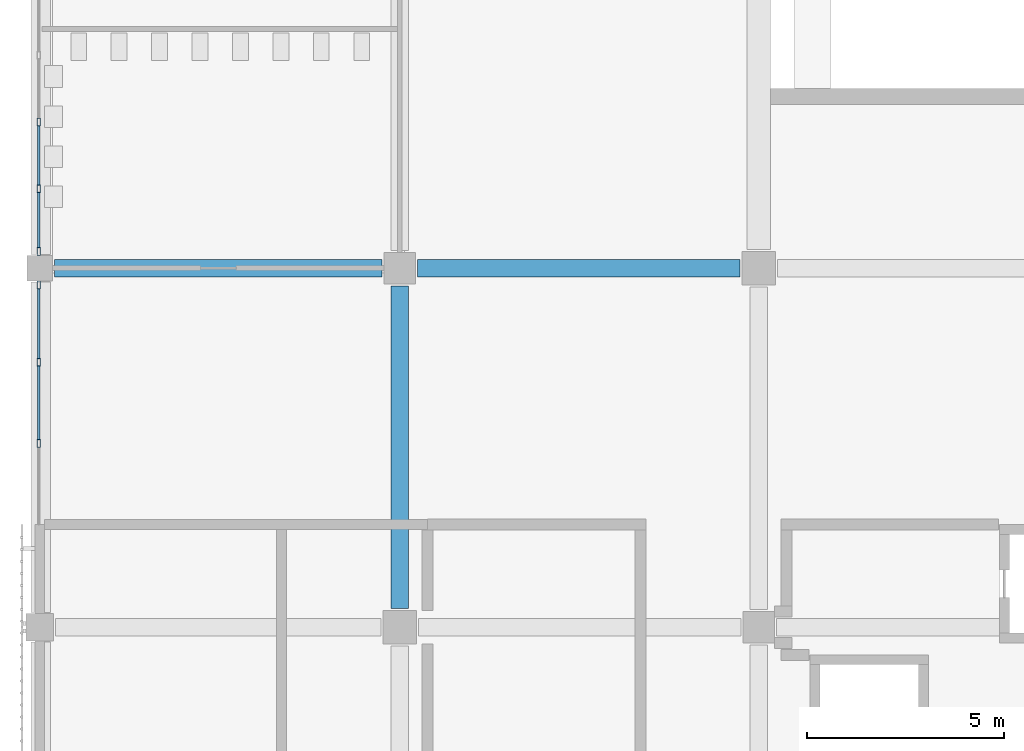
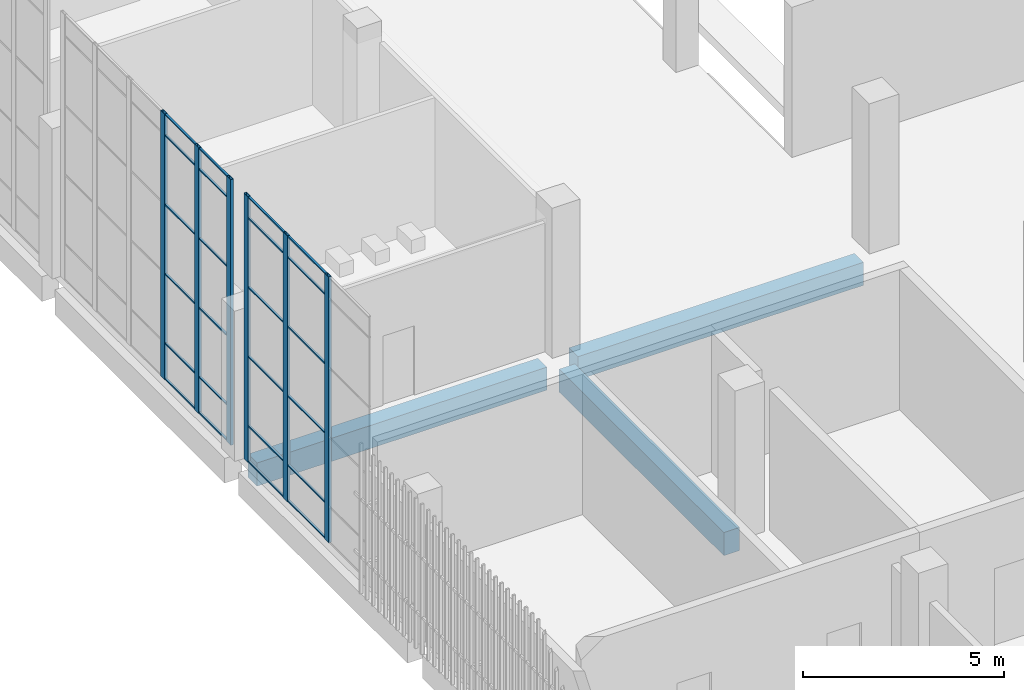
# One storey, part 10 of 126: 30 members, 3 beams, 2 elements without a shape of their own.
"""IFC4 building model written with IfcOpenShell, lengths in metres."""

import ifcopenshell
import ifcopenshell.guid

model = None  # the IFC model being written
_history = None  # IfcOwnerHistory: only IFC2X3 demands one
_inside = {}  # id of a spatial element -> (the spatial element, [elements in it])
_under = {}  # id of a project, library or spatial element -> (it, [spatial elements below it])
_declared = {}  # id of a project -> (the project, [libraries it declares])
_typed = {}  # id of a type object -> (the type object, [elements of that type])
_made_of = {}  # id of a material, layer set ... -> (it, [elements and type objects made of it])


def new_model(schema):
    """Start an empty IFC model of exactly this schema.

    Asked for "IFC4X3", IfcOpenShell would pick the latest addendum, in which some entities
    have other attributes; the version numbers below select the first issue.
    IFC2X3 requires an IfcOwnerHistory on every rooted entity: one is made here for all.
    """
    global model, _history
    if schema == "IFC4X3":
        model = ifcopenshell.file(schema_version=(4, 3, 0, 0))
    else:
        model = ifcopenshell.file(schema=schema)
    _inside.clear()
    _under.clear()
    _declared.clear()
    _typed.clear()
    _made_of.clear()
    _history = None
    if model.schema == "IFC2X3":
        org = make("IfcOrganization", Name="unknown")
        user = make(
            "IfcPersonAndOrganization",
            ThePerson=make("IfcPerson", FamilyName="unknown"),
            TheOrganization=org,
        )
        app = make(
            "IfcApplication",
            ApplicationDeveloper=org,
            Version="unknown",
            ApplicationFullName="unknown",
            ApplicationIdentifier="unknown",
        )
        _history = make(
            "IfcOwnerHistory",
            OwningUser=user,
            OwningApplication=app,
            ChangeAction="ADDED",
            CreationDate=0,
        )
    return model


def make(cls, **values):
    """One entity of the class cls with the attributes given. An attribute that is None is left unset."""
    return model.create_entity(
        cls, **{name: value for name, value in values.items() if value is not None}
    )


def rooted(cls, **values):
    """An entity with a GlobalId (a new one), such as an element, a storey or a relation."""
    return make(cls, GlobalId=ifcopenshell.guid.new(), OwnerHistory=_history, **values)


def si_unit(unit_type, name, prefix=None):
    """IfcSIUnit, for example si_unit("LENGTHUNIT", "METRE", prefix="MILLI")."""
    return make("IfcSIUnit", UnitType=unit_type, Prefix=prefix, Name=name)


def assignment(units):
    """IfcUnitAssignment: the units of a project."""
    return None if units is None else make("IfcUnitAssignment", Units=units)


def point(xyz):
    """IfcCartesianPoint."""
    return None if xyz is None else make("IfcCartesianPoint", Coordinates=xyz)


def direction(xyz):
    """IfcDirection."""
    return None if xyz is None else make("IfcDirection", DirectionRatios=xyz)


def frame(location, z_axis=None, x_axis=None):
    """IfcAxis2Placement3D, a coordinate frame: its origin and axes. An axis left out is left unset."""
    return make(
        "IfcAxis2Placement3D",
        Location=point(location),
        Axis=direction(z_axis),
        RefDirection=direction(x_axis),
    )


def frame_2d(location, x_axis=None):
    """IfcAxis2Placement2D, a coordinate frame in the plane: its origin and x axis."""
    return make(
        "IfcAxis2Placement2D", Location=point(location), RefDirection=direction(x_axis)
    )


def origin():
    """The frame at (0, 0, 0) with its axes left unset."""
    return frame((0.0, 0.0, 0.0))


def origin_2d():
    """The frame at (0, 0) in the plane with its x axis left unset."""
    return frame_2d((0.0, 0.0))


def place(relative_to, where):
    """IfcLocalPlacement: puts the frame where relative to a parent placement (None: the world)."""
    return make(
        "IfcLocalPlacement", PlacementRelTo=relative_to, RelativePlacement=where
    )


def context(
    kind, dimensions, precision=None, world=None, true_north=None, identifier=None
):
    """IfcGeometricRepresentationContext, for example the 3D "Model" context."""
    return make(
        "IfcGeometricRepresentationContext",
        ContextIdentifier=identifier,
        ContextType=kind,
        CoordinateSpaceDimension=dimensions,
        Precision=precision,
        WorldCoordinateSystem=world,
        TrueNorth=true_north,
    )


def subcontext(parent, identifier, kind, view, scale=None):
    """IfcGeometricRepresentationSubContext, for example "Body" below "Model"."""
    return make(
        "IfcGeometricRepresentationSubContext",
        ContextIdentifier=identifier,
        ContextType=kind,
        ParentContext=parent,
        TargetScale=scale,
        TargetView=view,
    )


def project(units=None, contexts=None):
    """IfcProject with its units and contexts."""
    return rooted(
        "IfcProject",
        Name="project",
        RepresentationContexts=contexts,
        UnitsInContext=assignment(units),
    )


def spatial(cls, under=None, at=None, **own):
    """A site, building, storey or space (cls), placed at a placement, below another one or the project."""
    s = rooted(cls, ObjectPlacement=at, **own)
    if under is not None:
        _under.setdefault(under.id(), (under, []))[1].append(s)
    return s


def profile(cls, at=None, kind="AREA", **sizes):
    """A parametric profile (cls). Its sizes go by their IFC names, for example OverallWidth=200.0."""
    return make(cls, ProfileType=kind, Position=at, **sizes)


def rectangle(**sizes):
    """IfcRectangleProfileDef."""
    return profile("IfcRectangleProfileDef", **sizes)


def hollow_rectangle(**sizes):
    """IfcRectangleHollowProfileDef."""
    return profile("IfcRectangleHollowProfileDef", **sizes)


def extrude(swept, where, along, depth):
    """IfcExtrudedAreaSolid: the profile swept, set in the frame where, extruded along a direction by depth."""
    return make(
        "IfcExtrudedAreaSolid",
        SweptArea=swept,
        Position=where,
        ExtrudedDirection=direction(along),
        Depth=depth,
    )


def shape(context_of_items, identifier, shape_type, items):
    """IfcShapeRepresentation: the items that make up one representation, for example the "Body"."""
    return make(
        "IfcShapeRepresentation",
        ContextOfItems=context_of_items,
        RepresentationIdentifier=identifier,
        RepresentationType=shape_type,
        Items=items,
    )


def material(Name=None, Category=None):
    """IfcMaterial."""
    return make("IfcMaterial", Name=Name, Category=Category)


def layer(
    of_material, thickness, ventilated=None, Name=None, Category=None, Priority=None
):
    """IfcMaterialLayer: one layer of a wall or slab, of a material (None: an air gap)."""
    return make(
        "IfcMaterialLayer",
        Material=of_material,
        LayerThickness=thickness,
        IsVentilated=ventilated,
        Name=Name,
        Category=Category,
        Priority=Priority,
    )


def layer_set(layers, Name=None):
    """IfcMaterialLayerSet."""
    return make("IfcMaterialLayerSet", MaterialLayers=layers, LayerSetName=Name)


def material_profile(
    of_material, cross_section, Name=None, Category=None, Priority=None
):
    """IfcMaterialProfile: a cross section and its material."""
    return make(
        "IfcMaterialProfile",
        Name=Name,
        Material=of_material,
        Profile=cross_section,
        Priority=Priority,
        Category=Category,
    )


def profile_set(profiles, Name=None, composite=None):
    """IfcMaterialProfileSet."""
    return make(
        "IfcMaterialProfileSet",
        Name=Name,
        MaterialProfiles=profiles,
        CompositeProfile=composite,
    )


def made_of(thing, what):
    """Note that an element or type object is made of a material, layer set ...; save() writes the relation."""
    if what is not None:
        _made_of.setdefault(what.id(), (what, []))[1].append(thing)
    return thing


def type_object(cls, material=None, **own):
    """A type object (cls), such as IfcWallType, which elements share."""
    return made_of(rooted(cls, **own), material)


def element(
    cls,
    number,
    at=None,
    inside=None,
    cuts=None,
    type_object=None,
    material=None,
    context=None,
    identifier="Body",
    shape_type=None,
    held_by="IfcProductDefinitionShape",
    body=None,
    shapes=None,
    **own,
):
    """One element of the class cls, such as IfcWall. Its Tag is "e" and its number.

    at: its placement. inside: the storey or other place that contains it. cuts: it is an
    opening in that element (IfcRelVoidsElement). A single representation is given by context,
    identifier, shape_type and body (its items); several are given by shapes. held_by: the class
    of the entity that holds the representations. save() writes the other relations.
    """
    e = rooted(cls, Tag="e%d" % number, ObjectPlacement=at, **own)
    if body is not None:
        shapes = [shape(context, identifier, shape_type, body)]
    if shapes is not None:
        e.Representation = make(held_by, Representations=shapes)
    if inside is not None:
        _inside.setdefault(inside.id(), (inside, []))[1].append(e)
    if cuts is not None:
        rooted(
            "IfcRelVoidsElement", RelatingBuildingElement=cuts, RelatedOpeningElement=e
        )
    if type_object is not None:
        _typed.setdefault(type_object.id(), (type_object, []))[1].append(e)
    return made_of(e, material)


def aggregate(whole, parts):
    """IfcRelAggregates: a whole, such as a stair, and the parts it consists of."""
    return rooted("IfcRelAggregates", RelatingObject=whole, RelatedObjects=parts)


def save(model, path):
    """Write the relations noted so far, then the file.

    IfcRelAggregates (storeys below a building ...), IfcRelContainedInSpatialStructure (elements
    in a storey), IfcRelDefinesByType, IfcRelAssociatesMaterial and IfcRelDeclares: one each for
    every whole, place, type object, material and project.
    """
    for whole, parts in _under.values():
        aggregate(whole, parts)
    for where, things in _inside.values():
        rooted(
            "IfcRelContainedInSpatialStructure",
            RelatedElements=things,
            RelatingStructure=where,
        )
    for kind, things in _typed.values():
        rooted("IfcRelDefinesByType", RelatedObjects=things, RelatingType=kind)
    for what, things in _made_of.values():
        rooted("IfcRelAssociatesMaterial", RelatedObjects=things, RelatingMaterial=what)
    for by, libraries in _declared.values():
        rooted("IfcRelDeclares", RelatingContext=by, RelatedDefinitions=libraries)
    model.write(path)


model = new_model("IFC4")

# Units and contexts
model_context = context("Model", 3, precision=1e-05, world=origin(), true_north=direction((0.0, 1.0)))
body_context = subcontext(model_context, "Body", "Model", "MODEL_VIEW")
ifc_project = project(units=[si_unit("LENGTHUNIT", "METRE"), si_unit("AREAUNIT", "SQUARE_METRE"), si_unit("VOLUMEUNIT", "CUBIC_METRE"), si_unit("PLANEANGLEUNIT", "RADIAN"), si_unit("MASSUNIT", "GRAM", prefix="KILO")], contexts=[model_context])

# Site, building, storey
site_placement = place(None, origin())
site = spatial("IfcSite", under=ifc_project, at=site_placement, CompositionType="ELEMENT")
building_placement = place(site_placement, origin())
building = spatial("IfcBuilding", under=site, at=building_placement, Name="Shirokan Park Arena", CompositionType="ELEMENT")
storey_placement = place(building_placement, frame((0.0, 0.0, 6.3701171875)))
storey = spatial("IfcBuildingStorey", under=building, at=storey_placement, Name="L01", CompositionType="ELEMENT", Elevation=6.3701171875)

# Curtain wall, members
ifc_material_1 = material(Name="Steel and glass curtain wall", Category="steel")
ifc_layer = layer(ifc_material_1, 0.199951171875)
ifc_layer_set = layer_set([ifc_layer], Name="Steel and glass curtain wall 200 mm")
curtain_wall_type = type_object("IfcCurtainWallType", Name="Curtain wall hall bay 200", PredefinedType="NOTDEFINED", material=ifc_layer_set)
curtain_wall_1_placement = place(storey_placement, origin())
curtain_wall_1 = element("IfcCurtainWall", 1, at=curtain_wall_1_placement, inside=storey, type_object=curtain_wall_type, Name="Curtain wall west bay 8 L01", PredefinedType="NOTDEFINED")
ifc_material_2 = material(Name="Steel S355", Category="steel")
ifc_material_profile_1 = material_profile(ifc_material_2, hollow_rectangle(XDim=0.080078125, YDim=0.199951171875, WallThickness=0.008056640625, at=origin_2d()), Name="RHS 200x80x8")
ifc_profile_set_1 = profile_set([ifc_material_profile_1], Name="Steel S355")
member_type_1 = type_object("IfcMemberType", Name="Mullion RHS 200x80x8", PredefinedType="MULLION", material=ifc_profile_set_1)
member_1_placement = place(storey_placement, frame((-0.050048828125, 40.10498046875, 0.0), z_axis=(0.0, 0.0, 1.0), x_axis=(1.0, 0.0, 0.0)))
member_1 = element("IfcMember", 2, at=member_1_placement, type_object=member_type_1, Name="CW5 mullion 4", PredefinedType="MULLION", context=body_context, shape_type="SweptSolid", body=[
    extrude(hollow_rectangle(XDim=0.080078125, YDim=0.199951171875, WallThickness=0.008056640625, at=origin_2d()), origin(), (0.0, 0.0, 1.0), 8.0498046875),
])
member_2_placement = place(storey_placement, frame((-0.050048828125, 38.4150390625, 0.0), z_axis=(0.0, 0.0, 1.0), x_axis=(1.0, 0.0, 0.0)))
member_2 = element("IfcMember", 3, at=member_2_placement, type_object=member_type_1, Name="CW5 mullion 5", PredefinedType="MULLION", context=body_context, shape_type="SweptSolid", body=[
    extrude(hollow_rectangle(XDim=0.080078125, YDim=0.199951171875, WallThickness=0.008056640625, at=origin_2d()), origin(), (0.0, 0.0, 1.0), 8.0498046875),
])
member_3_placement = place(storey_placement, frame((-0.050048828125, 36.824951171875, 0.0), z_axis=(0.0, 0.0, 1.0), x_axis=(1.0, 0.0, 0.0)))
member_3 = element("IfcMember", 4, at=member_3_placement, type_object=member_type_1, Name="CW5 mullion 6", PredefinedType="MULLION", context=body_context, shape_type="SweptSolid", body=[
    extrude(hollow_rectangle(XDim=0.080078125, YDim=0.199951171875, WallThickness=0.008056640625, at=origin_2d()), origin(), (0.0, 0.0, 1.0), 8.0498046875),
])

curtain_wall_2_placement = place(storey_placement, origin())
curtain_wall_2 = element("IfcCurtainWall", 5, at=curtain_wall_2_placement, inside=storey, type_object=curtain_wall_type, Name="Curtain wall west bay 9 L01", PredefinedType="NOTDEFINED")
member_4_placement = place(storey_placement, frame((-0.050048828125, 35.97509765625, 0.0), z_axis=(0.0, 0.0, 1.0), x_axis=(1.0, 0.0, 0.0)))
member_4 = element("IfcMember", 6, at=member_4_placement, type_object=member_type_1, Name="CW5 mullion 1", PredefinedType="MULLION", context=body_context, shape_type="SweptSolid", body=[
    extrude(hollow_rectangle(XDim=0.080078125, YDim=0.199951171875, WallThickness=0.008056640625, at=origin_2d()), origin(), (0.0, 0.0, 1.0), 8.0498046875),
])
member_5_placement = place(storey_placement, frame((-0.050048828125, 34.0166015625, 0.0), z_axis=(0.0, 0.0, 1.0), x_axis=(1.0, 0.0, 0.0)))
member_5 = element("IfcMember", 7, at=member_5_placement, type_object=member_type_1, Name="CW5 mullion 2", PredefinedType="MULLION", context=body_context, shape_type="SweptSolid", body=[
    extrude(hollow_rectangle(XDim=0.080078125, YDim=0.199951171875, WallThickness=0.008056640625, at=origin_2d()), origin(), (0.0, 0.0, 1.0), 8.0498046875),
])
member_6_placement = place(storey_placement, frame((-0.050048828125, 31.958251953125, 0.0), z_axis=(0.0, 0.0, 1.0), x_axis=(1.0, 0.0, 0.0)))
member_6 = element("IfcMember", 8, at=member_6_placement, type_object=member_type_1, Name="CW5 mullion 3", PredefinedType="MULLION", context=body_context, shape_type="SweptSolid", body=[
    extrude(hollow_rectangle(XDim=0.080078125, YDim=0.199951171875, WallThickness=0.008056640625, at=origin_2d()), origin(), (0.0, 0.0, 1.0), 8.0498046875),
])

# Beams
ifc_material_3 = material(Name="Concrete C35", Category="concrete")
ifc_material_profile_2 = material_profile(ifc_material_3, rectangle(XDim=0.449951171875, YDim=0.699951171875, at=origin_2d()), Name="450x700")
ifc_profile_set_2 = profile_set([ifc_material_profile_2], Name="Concrete C35")
beam_type = type_object("IfcBeamType", Name="RC girder 450x700", PredefinedType="BEAM", material=ifc_profile_set_2)
beam_placement = place(storey_placement, frame((0.35009765625, 36.39990234375, -0.7001953125), z_axis=(1.0, 0.0, 0.0), x_axis=(0.0, 1.0, 0.0)))
element("IfcBeam", 9, at=beam_placement, inside=storey, type_object=beam_type, Name="Girder 1E-2E L01", PredefinedType="BEAM", context=body_context, shape_type="SweptSolid", body=[
    extrude(rectangle(XDim=0.449951171875, YDim=0.699951171875, at=origin_2d()), origin(), (0.0, 0.0, 1.0), 8.2998046875),
])
for number, where, z_axis, x_axis, name in (
    (10, (9.550048828125, 36.39990234375, -0.7001953125), (1.0, 0.0, 0.0), (0.0, 1.0, 0.0), "Girder 2E-3E L01"),
    (11, (9.10009765625, 27.775146484375, -0.7001953125), (0.0, 1.0, 0.0), (-1.0, 0.0, 0.0), "Girder 2D-2E L01"),
):
    element("IfcBeam", number, at=place(storey_placement, frame(where, z_axis=z_axis, x_axis=x_axis)), inside=storey, type_object=beam_type, Name=name, PredefinedType="BEAM", context=body_context, shape_type="SweptSolid", body=[
        extrude(rectangle(XDim=0.449951171875, YDim=0.699951171875, at=origin_2d()), origin(), (0.0, 0.0, 1.0), 8.1748046875),
    ])

# Member
ifc_material_profile_3 = material_profile(ifc_material_2, hollow_rectangle(XDim=0.06005859375, YDim=0.0400390625, WallThickness=0.00390625, at=origin_2d()), Name="RHS 60x40x4")
ifc_profile_set_3 = profile_set([ifc_material_profile_3], Name="Steel S355")
member_type_2 = type_object("IfcMemberType", Name="Transom RHS 60x40x4", PredefinedType="MULLION", material=ifc_profile_set_3)
member_7_placement = place(storey_placement, frame((-0.050048828125, 40.0048828125, 0.019775390625), z_axis=(0.0, -1.0, 0.0), x_axis=(1.0, 0.0, 0.0)))
member_7 = element("IfcMember", 12, at=member_7_placement, type_object=member_type_2, Name="CW5 transom 4.1", PredefinedType="MULLION", context=body_context, shape_type="SweptSolid", body=[
    extrude(hollow_rectangle(XDim=0.06005859375, YDim=0.0400390625, WallThickness=0.00390625, at=origin_2d()), origin(), (0.0, 0.0, 1.0), 1.489990234375),
])

member_8_placement = place(storey_placement, frame((-0.050048828125, 40.0048828125, 1.099853515625), z_axis=(0.0, -1.0, 0.0), x_axis=(1.0, 0.0, 0.0)))
member_8 = element("IfcMember", 13, at=member_8_placement, type_object=member_type_2, Name="CW5 transom 4.2", PredefinedType="MULLION", context=body_context, shape_type="SweptSolid", body=[
    extrude(hollow_rectangle(XDim=0.06005859375, YDim=0.0400390625, WallThickness=0.00390625, at=origin_2d()), origin(), (0.0, 0.0, 1.0), 1.489990234375),
])

member_9_placement = place(storey_placement, frame((-0.050048828125, 40.0048828125, 3.199951171875), z_axis=(0.0, -1.0, 0.0), x_axis=(1.0, 0.0, 0.0)))
member_9 = element("IfcMember", 14, at=member_9_placement, type_object=member_type_2, Name="CW5 transom 4.3", PredefinedType="MULLION", context=body_context, shape_type="SweptSolid", body=[
    extrude(hollow_rectangle(XDim=0.06005859375, YDim=0.0400390625, WallThickness=0.00390625, at=origin_2d()), origin(), (0.0, 0.0, 1.0), 1.489990234375),
])

member_10_placement = place(storey_placement, frame((-0.050048828125, 40.0048828125, 5.2998046875), z_axis=(0.0, -1.0, 0.0), x_axis=(1.0, 0.0, 0.0)))
member_10 = element("IfcMember", 15, at=member_10_placement, type_object=member_type_2, Name="CW5 transom 4.4", PredefinedType="MULLION", context=body_context, shape_type="SweptSolid", body=[
    extrude(hollow_rectangle(XDim=0.06005859375, YDim=0.0400390625, WallThickness=0.00390625, at=origin_2d()), origin(), (0.0, 0.0, 1.0), 1.489990234375),
])

member_11_placement = place(storey_placement, frame((-0.050048828125, 40.0048828125, 7.39990234375), z_axis=(0.0, -1.0, 0.0), x_axis=(1.0, 0.0, 0.0)))
member_11 = element("IfcMember", 16, at=member_11_placement, type_object=member_type_2, Name="CW5 transom 4.5", PredefinedType="MULLION", context=body_context, shape_type="SweptSolid", body=[
    extrude(hollow_rectangle(XDim=0.06005859375, YDim=0.0400390625, WallThickness=0.00390625, at=origin_2d()), origin(), (0.0, 0.0, 1.0), 1.489990234375),
])

member_12_placement = place(storey_placement, frame((-0.050048828125, 40.0048828125, 8.02978515625), z_axis=(0.0, -1.0, 0.0), x_axis=(1.0, 0.0, 0.0)))
member_12 = element("IfcMember", 17, at=member_12_placement, type_object=member_type_2, Name="CW5 transom 4.6", PredefinedType="MULLION", context=body_context, shape_type="SweptSolid", body=[
    extrude(hollow_rectangle(XDim=0.06005859375, YDim=0.0400390625, WallThickness=0.00390625, at=origin_2d()), origin(), (0.0, 0.0, 1.0), 1.489990234375),
])

member_13_placement = place(storey_placement, frame((-0.050048828125, 38.31494140625, 0.019775390625), z_axis=(0.0, -1.0, 0.0), x_axis=(1.0, 0.0, 0.0)))
member_13 = element("IfcMember", 18, at=member_13_placement, type_object=member_type_2, Name="CW5 transom 5.1", PredefinedType="MULLION", context=body_context, shape_type="SweptSolid", body=[
    extrude(hollow_rectangle(XDim=0.06005859375, YDim=0.0400390625, WallThickness=0.00390625, at=origin_2d()), origin(), (0.0, 0.0, 1.0), 1.389892578125),
])

member_14_placement = place(storey_placement, frame((-0.050048828125, 38.31494140625, 1.099853515625), z_axis=(0.0, -1.0, 0.0), x_axis=(1.0, 0.0, 0.0)))
member_14 = element("IfcMember", 19, at=member_14_placement, type_object=member_type_2, Name="CW5 transom 5.2", PredefinedType="MULLION", context=body_context, shape_type="SweptSolid", body=[
    extrude(hollow_rectangle(XDim=0.06005859375, YDim=0.0400390625, WallThickness=0.00390625, at=origin_2d()), origin(), (0.0, 0.0, 1.0), 1.389892578125),
])

member_15_placement = place(storey_placement, frame((-0.050048828125, 38.31494140625, 3.199951171875), z_axis=(0.0, -1.0, 0.0), x_axis=(1.0, 0.0, 0.0)))
member_15 = element("IfcMember", 20, at=member_15_placement, type_object=member_type_2, Name="CW5 transom 5.3", PredefinedType="MULLION", context=body_context, shape_type="SweptSolid", body=[
    extrude(hollow_rectangle(XDim=0.06005859375, YDim=0.0400390625, WallThickness=0.00390625, at=origin_2d()), origin(), (0.0, 0.0, 1.0), 1.389892578125),
])

member_16_placement = place(storey_placement, frame((-0.050048828125, 38.31494140625, 5.2998046875), z_axis=(0.0, -1.0, 0.0), x_axis=(1.0, 0.0, 0.0)))
member_16 = element("IfcMember", 21, at=member_16_placement, type_object=member_type_2, Name="CW5 transom 5.4", PredefinedType="MULLION", context=body_context, shape_type="SweptSolid", body=[
    extrude(hollow_rectangle(XDim=0.06005859375, YDim=0.0400390625, WallThickness=0.00390625, at=origin_2d()), origin(), (0.0, 0.0, 1.0), 1.389892578125),
])

member_17_placement = place(storey_placement, frame((-0.050048828125, 38.31494140625, 7.39990234375), z_axis=(0.0, -1.0, 0.0), x_axis=(1.0, 0.0, 0.0)))
member_17 = element("IfcMember", 22, at=member_17_placement, type_object=member_type_2, Name="CW5 transom 5.5", PredefinedType="MULLION", context=body_context, shape_type="SweptSolid", body=[
    extrude(hollow_rectangle(XDim=0.06005859375, YDim=0.0400390625, WallThickness=0.00390625, at=origin_2d()), origin(), (0.0, 0.0, 1.0), 1.389892578125),
])

member_18_placement = place(storey_placement, frame((-0.050048828125, 38.31494140625, 8.02978515625), z_axis=(0.0, -1.0, 0.0), x_axis=(1.0, 0.0, 0.0)))
member_18 = element("IfcMember", 23, at=member_18_placement, type_object=member_type_2, Name="CW5 transom 5.6", PredefinedType="MULLION", context=body_context, shape_type="SweptSolid", body=[
    extrude(hollow_rectangle(XDim=0.06005859375, YDim=0.0400390625, WallThickness=0.00390625, at=origin_2d()), origin(), (0.0, 0.0, 1.0), 1.389892578125),
])

aggregate(curtain_wall_1, [member_1, member_2, member_3, member_7, member_8, member_9, member_10, member_11, member_12, member_13, member_14, member_15, member_16, member_17, member_18])

member_19_placement = place(storey_placement, frame((-0.050048828125, 35.875, 0.019775390625), z_axis=(0.0, -1.0, 0.0), x_axis=(1.0, 0.0, 0.0)))
member_19 = element("IfcMember", 24, at=member_19_placement, type_object=member_type_2, Name="CW5 transom 1.1", PredefinedType="MULLION", context=body_context, shape_type="SweptSolid", body=[
    extrude(hollow_rectangle(XDim=0.06005859375, YDim=0.0400390625, WallThickness=0.00390625, at=origin_2d()), origin(), (0.0, 0.0, 1.0), 1.75830078125),
])

member_20_placement = place(storey_placement, frame((-0.050048828125, 35.875, 1.099853515625), z_axis=(0.0, -1.0, 0.0), x_axis=(1.0, 0.0, 0.0)))
member_20 = element("IfcMember", 25, at=member_20_placement, type_object=member_type_2, Name="CW5 transom 1.2", PredefinedType="MULLION", context=body_context, shape_type="SweptSolid", body=[
    extrude(hollow_rectangle(XDim=0.06005859375, YDim=0.0400390625, WallThickness=0.00390625, at=origin_2d()), origin(), (0.0, 0.0, 1.0), 1.75830078125),
])

member_21_placement = place(storey_placement, frame((-0.050048828125, 35.875, 3.199951171875), z_axis=(0.0, -1.0, 0.0), x_axis=(1.0, 0.0, 0.0)))
member_21 = element("IfcMember", 26, at=member_21_placement, type_object=member_type_2, Name="CW5 transom 1.3", PredefinedType="MULLION", context=body_context, shape_type="SweptSolid", body=[
    extrude(hollow_rectangle(XDim=0.06005859375, YDim=0.0400390625, WallThickness=0.00390625, at=origin_2d()), origin(), (0.0, 0.0, 1.0), 1.75830078125),
])

member_22_placement = place(storey_placement, frame((-0.050048828125, 35.875, 5.2998046875), z_axis=(0.0, -1.0, 0.0), x_axis=(1.0, 0.0, 0.0)))
member_22 = element("IfcMember", 27, at=member_22_placement, type_object=member_type_2, Name="CW5 transom 1.4", PredefinedType="MULLION", context=body_context, shape_type="SweptSolid", body=[
    extrude(hollow_rectangle(XDim=0.06005859375, YDim=0.0400390625, WallThickness=0.00390625, at=origin_2d()), origin(), (0.0, 0.0, 1.0), 1.75830078125),
])

member_23_placement = place(storey_placement, frame((-0.050048828125, 35.875, 7.39990234375), z_axis=(0.0, -1.0, 0.0), x_axis=(1.0, 0.0, 0.0)))
member_23 = element("IfcMember", 28, at=member_23_placement, type_object=member_type_2, Name="CW5 transom 1.5", PredefinedType="MULLION", context=body_context, shape_type="SweptSolid", body=[
    extrude(hollow_rectangle(XDim=0.06005859375, YDim=0.0400390625, WallThickness=0.00390625, at=origin_2d()), origin(), (0.0, 0.0, 1.0), 1.75830078125),
])

member_24_placement = place(storey_placement, frame((-0.050048828125, 35.875, 8.02978515625), z_axis=(0.0, -1.0, 0.0), x_axis=(1.0, 0.0, 0.0)))
member_24 = element("IfcMember", 29, at=member_24_placement, type_object=member_type_2, Name="CW5 transom 1.6", PredefinedType="MULLION", context=body_context, shape_type="SweptSolid", body=[
    extrude(hollow_rectangle(XDim=0.06005859375, YDim=0.0400390625, WallThickness=0.00390625, at=origin_2d()), origin(), (0.0, 0.0, 1.0), 1.75830078125),
])

member_25_placement = place(storey_placement, frame((-0.050048828125, 33.916748046875, 0.019775390625), z_axis=(0.0, -1.0, 0.0), x_axis=(1.0, 0.0, 0.0)))
member_25 = element("IfcMember", 30, at=member_25_placement, type_object=member_type_2, Name="CW5 transom 2.1", PredefinedType="MULLION", context=body_context, shape_type="SweptSolid", body=[
    extrude(hollow_rectangle(XDim=0.06005859375, YDim=0.0400390625, WallThickness=0.00390625, at=origin_2d()), origin(), (0.0, 0.0, 1.0), 1.8583984375),
])

member_26_placement = place(storey_placement, frame((-0.050048828125, 33.916748046875, 1.099853515625), z_axis=(0.0, -1.0, 0.0), x_axis=(1.0, 0.0, 0.0)))
member_26 = element("IfcMember", 31, at=member_26_placement, type_object=member_type_2, Name="CW5 transom 2.2", PredefinedType="MULLION", context=body_context, shape_type="SweptSolid", body=[
    extrude(hollow_rectangle(XDim=0.06005859375, YDim=0.0400390625, WallThickness=0.00390625, at=origin_2d()), origin(), (0.0, 0.0, 1.0), 1.8583984375),
])

member_27_placement = place(storey_placement, frame((-0.050048828125, 33.916748046875, 3.199951171875), z_axis=(0.0, -1.0, 0.0), x_axis=(1.0, 0.0, 0.0)))
member_27 = element("IfcMember", 32, at=member_27_placement, type_object=member_type_2, Name="CW5 transom 2.3", PredefinedType="MULLION", context=body_context, shape_type="SweptSolid", body=[
    extrude(hollow_rectangle(XDim=0.06005859375, YDim=0.0400390625, WallThickness=0.00390625, at=origin_2d()), origin(), (0.0, 0.0, 1.0), 1.8583984375),
])

member_28_placement = place(storey_placement, frame((-0.050048828125, 33.916748046875, 5.2998046875), z_axis=(0.0, -1.0, 0.0), x_axis=(1.0, 0.0, 0.0)))
member_28 = element("IfcMember", 33, at=member_28_placement, type_object=member_type_2, Name="CW5 transom 2.4", PredefinedType="MULLION", context=body_context, shape_type="SweptSolid", body=[
    extrude(hollow_rectangle(XDim=0.06005859375, YDim=0.0400390625, WallThickness=0.00390625, at=origin_2d()), origin(), (0.0, 0.0, 1.0), 1.8583984375),
])

member_29_placement = place(storey_placement, frame((-0.050048828125, 33.916748046875, 7.39990234375), z_axis=(0.0, -1.0, 0.0), x_axis=(1.0, 0.0, 0.0)))
member_29 = element("IfcMember", 34, at=member_29_placement, type_object=member_type_2, Name="CW5 transom 2.5", PredefinedType="MULLION", context=body_context, shape_type="SweptSolid", body=[
    extrude(hollow_rectangle(XDim=0.06005859375, YDim=0.0400390625, WallThickness=0.00390625, at=origin_2d()), origin(), (0.0, 0.0, 1.0), 1.8583984375),
])

member_30_placement = place(storey_placement, frame((-0.050048828125, 33.916748046875, 8.02978515625), z_axis=(0.0, -1.0, 0.0), x_axis=(1.0, 0.0, 0.0)))
member_30 = element("IfcMember", 35, at=member_30_placement, type_object=member_type_2, Name="CW5 transom 2.6", PredefinedType="MULLION", context=body_context, shape_type="SweptSolid", body=[
    extrude(hollow_rectangle(XDim=0.06005859375, YDim=0.0400390625, WallThickness=0.00390625, at=origin_2d()), origin(), (0.0, 0.0, 1.0), 1.8583984375),
])

aggregate(curtain_wall_2, [member_4, member_5, member_6, member_19, member_20, member_21, member_22, member_23, member_24, member_25, member_26, member_27, member_28, member_29, member_30])

save(model, "model.ifc")
